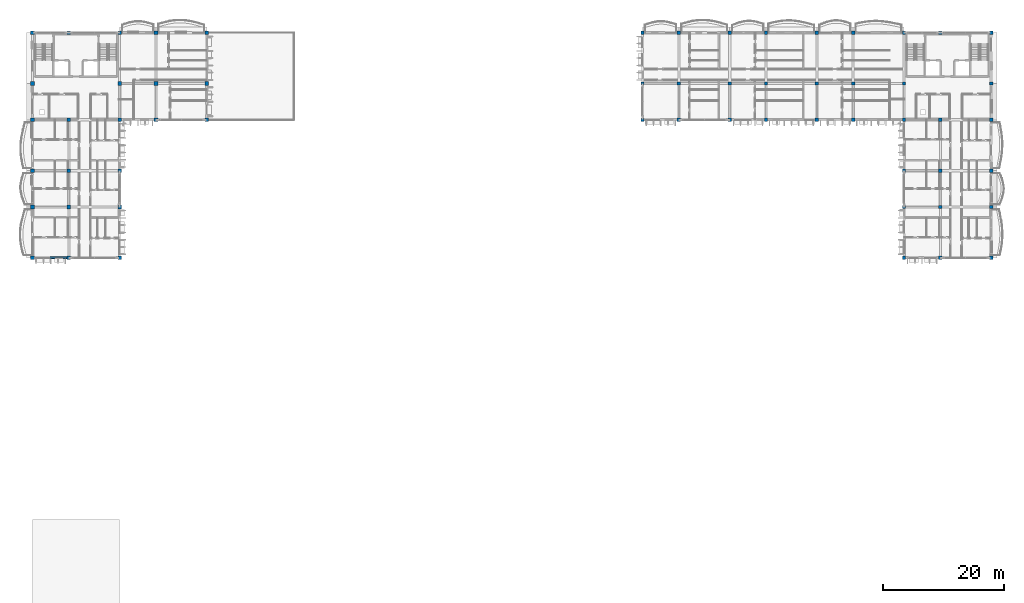
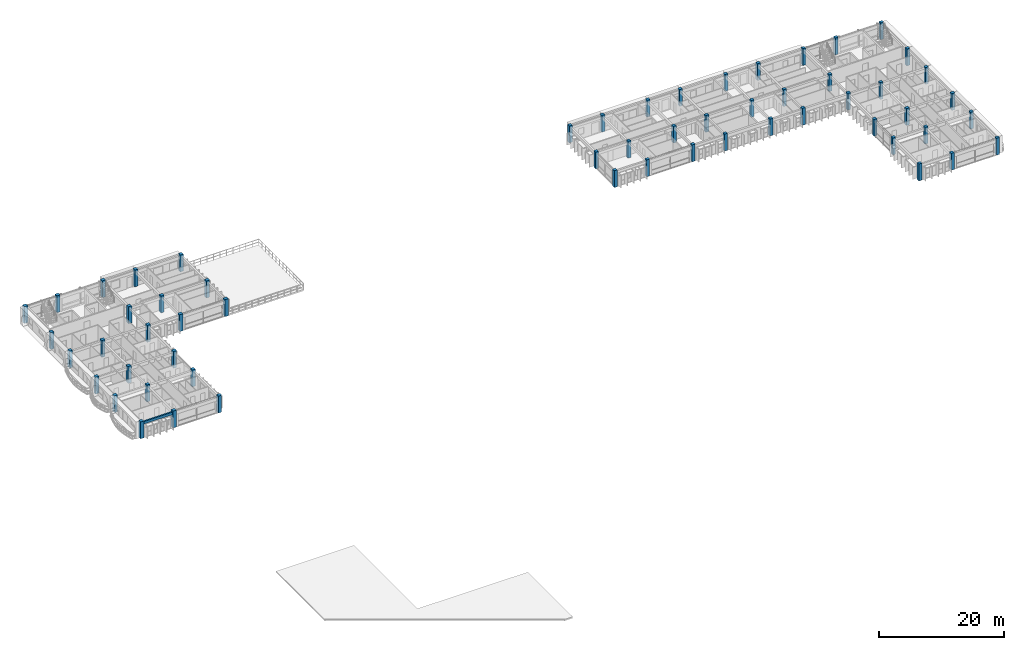
# One storey, part 1 of 31: 58 columns, 1 beam.
"""IFC4 building model written with IfcOpenShell, lengths in metres."""

from ifc_helpers import new_model, si_unit, direction, frame, origin, origin_2d, place, context, subcontext, project, spatial, rectangle, extrude, material, material_profile, profile_set, type_object, element, save


model = new_model("IFC4")

# Units and contexts
model_context = context("Model", 3, precision=1e-05, world=origin(), true_north=direction((0.0, 1.0)))
body_context = subcontext(model_context, "Body", "Model", "MODEL_VIEW")
ifc_project = project(units=[si_unit("LENGTHUNIT", "METRE"), si_unit("AREAUNIT", "SQUARE_METRE"), si_unit("VOLUMEUNIT", "CUBIC_METRE"), si_unit("PLANEANGLEUNIT", "RADIAN"), si_unit("MASSUNIT", "GRAM", prefix="KILO"), si_unit("THERMODYNAMICTEMPERATUREUNIT", "KELVIN")], contexts=[model_context])

# Site, building, storey
site_placement = place(None, origin())
site = spatial("IfcSite", under=ifc_project, at=site_placement, CompositionType="ELEMENT")
building_placement = place(site_placement, origin())
building = spatial("IfcBuilding", under=site, at=building_placement, Name="Thalorik Housing Commons", CompositionType="ELEMENT")
storey_placement = place(building_placement, frame((0.0, 0.0, 37.800048828125)))
storey = spatial("IfcBuildingStorey", under=building, at=storey_placement, Name="L11", CompositionType="ELEMENT", Elevation=37.800048828125)

# Columns
ifc_material = material(Name="Precast concrete C40/50", Category="concrete")
ifc_material_profile_1 = material_profile(ifc_material, rectangle(XDim=0.550048828125, YDim=0.550048828125, at=origin_2d()), Name="PC 550x550", Category="concrete")
ifc_profile_set_1 = profile_set([ifc_material_profile_1], Name="Precast concrete C40/50")
column_type_1 = type_object("IfcColumnType", Name="STR-COL-PC550", PredefinedType="COLUMN", material=ifc_profile_set_1)
for number, where, z_axis, x_axis, name in (
    (1, (109.199951171875, 109.199951171875, 0.0), (0.0, 0.0, 1.0), (1.0, 0.0, 0.0), "L11 Column C-550"),
    (2, (109.199951171875, 115.199951171875, 0.0), (0.0, 0.0, 1.0), (1.0, 0.0, 0.0), "L11 Column C-550"),
    (3, (109.199951171875, 123.60009765625, 0.0), (0.0, 0.0, 1.0), (1.0, 0.0, 0.0), "L11 Column C-550"),
    (4, (115.199951171875, 109.199951171875, 0.0), (0.0, 0.0, 1.0), (1.0, 0.0, 0.0), "L11 Column C-550"),
    (5, (115.199951171875, 115.199951171875, 0.0), (0.0, 0.0, 1.0), (1.0, 0.0, 0.0), "L11 Column C-550"),
    (6, (115.199951171875, 123.60009765625, 0.0), (0.0, 0.0, 1.0), (1.0, 0.0, 0.0), "L11 Column C-550"),
    (7, (123.60009765625, 109.199951171875, 0.0), (0.0, 0.0, 1.0), (1.0, 0.0, 0.0), "L11 Column C-550"),
    (8, (123.60009765625, 115.199951171875, 0.0), (0.0, 0.0, 1.0), (1.0, 0.0, 0.0), "L11 Column C-550"),
    (9, (123.60009765625, 123.60009765625, 0.0), (0.0, 0.0, 1.0), (1.0, 0.0, 0.0), "L11 Column C-550"),
    (10, (129.60009765625, 109.199951171875, 0.0), (0.0, 0.0, 1.0), (1.0, 0.0, 0.0), "L11 Column C-550"),
    (11, (129.60009765625, 115.199951171875, 0.0), (0.0, 0.0, 1.0), (1.0, 0.0, 0.0), "L11 Column C-550"),
    (12, (129.60009765625, 123.60009765625, 0.0), (0.0, 0.0, 1.0), (1.0, 0.0, 0.0), "L11 Column C-550"),
    (13, (138.0, 109.199951171875, 0.0), (0.0, 0.0, 1.0), (1.0, 0.0, 0.0), "L11 Column C-550"),
    (14, (138.0, 115.199951171875, 0.0), (0.0, 0.0, 1.0), (1.0, 0.0, 0.0), "L11 Column C-550"),
    (15, (138.0, 123.60009765625, 0.0), (0.0, 0.0, 1.0), (1.0, 0.0, 0.0), "L11 Column C-550"),
    (16, (144.0, 109.199951171875, 0.0), (0.0, 0.0, 1.0), (1.0, 0.0, 0.0), "L11 Column C-550"),
    (17, (144.0, 115.199951171875, 0.0), (0.0, 0.0, 1.0), (1.0, 0.0, 0.0), "L11 Column C-550"),
    (18, (144.0, 123.60009765625, 0.0), (0.0, 0.0, 1.0), (1.0, 0.0, 0.0), "L11 Column C-550"),
    (19, (152.39990234375, 86.39990234375, 0.0), (0.0, 0.0, 1.0), (1.0, 0.0, 0.0), "L11 Column C-550"),
    (20, (152.39990234375, 94.800048828125, 0.0), (0.0, 0.0, 1.0), (1.0, 0.0, 0.0), "L11 Column C-550"),
    (21, (152.39990234375, 100.800048828125, 0.0), (0.0, 0.0, 1.0), (1.0, 0.0, 0.0), "L11 Column C-550"),
    (22, (152.39990234375, 109.199951171875, 0.0), (0.0, 0.0, 1.0), (1.0, 0.0, 0.0), "L11 Column C-550"),
    (23, (152.39990234375, 115.199951171875, 0.0), (0.0, 0.0, 1.0), (1.0, 0.0, 0.0), "L11 Column C-550"),
    (24, (152.39990234375, 123.60009765625, 0.0), (0.0, 0.0, 1.0), (1.0, 0.0, 0.0), "L11 Column C-550"),
    (25, (158.39990234375, 86.39990234375, 0.0), (0.0, 0.0, 1.0), (1.0, 0.0, 0.0), "L11 Column C-550"),
    (26, (158.39990234375, 94.800048828125, 0.0), (0.0, 0.0, 1.0), (1.0, 0.0, 0.0), "L11 Column C-550"),
    (27, (158.39990234375, 100.800048828125, 0.0), (0.0, 0.0, 1.0), (1.0, 0.0, 0.0), "L11 Column C-550"),
    (28, (158.39990234375, 109.199951171875, 0.0), (0.0, 0.0, 1.0), (1.0, 0.0, 0.0), "L11 Column C-550"),
    (29, (158.39990234375, 123.60009765625, 0.0), (0.0, 0.0, 1.0), (1.0, 0.0, 0.0), "L11 Column C-550"),
    (30, (166.800048828125, 86.39990234375, 0.0), (0.0, 0.0, 1.0), (1.0, 0.0, 0.0), "L11 Column C-550"),
    (31, (166.800048828125, 94.800048828125, 0.0), (0.0, 0.0, 1.0), (1.0, 0.0, 0.0), "L11 Column C-550"),
    (32, (166.800048828125, 100.800048828125, 0.0), (0.0, 0.0, 1.0), (1.0, 0.0, 0.0), "L11 Column C-550"),
    (33, (166.800048828125, 109.199951171875, 0.0), (0.0, 0.0, 1.0), (1.0, 0.0, 0.0), "L11 Column C-550"),
    (34, (166.800048828125, 115.199951171875, 0.0), (0.0, 0.0, 1.0), (1.0, 0.0, 0.0), "L11 Column C-550"),
    (35, (166.800048828125, 123.60009765625, 0.0), (0.0, 0.0, 1.0), (1.0, 0.0, 0.0), "L11 Column C-550"),
):
    element("IfcColumn", number, at=place(storey_placement, frame(where, z_axis=z_axis, x_axis=x_axis)), inside=storey, type_object=column_type_1, Name=name, PredefinedType="COLUMN", context=body_context, shape_type="SweptSolid", body=[
        extrude(rectangle(XDim=0.550048828125, YDim=0.550048828125, at=origin_2d()), origin(), (0.0, 0.0, 1.0), 3.300048828125),
    ])
ifc_material_profile_2 = material_profile(ifc_material, rectangle(XDim=0.60009765625, YDim=0.60009765625, at=origin_2d()), Name="PC 600x600", Category="concrete")
ifc_profile_set_2 = profile_set([ifc_material_profile_2], Name="Precast concrete C40/50")
column_type_2 = type_object("IfcColumnType", Name="STR-COL-PC600", PredefinedType="COLUMN", material=ifc_profile_set_2)
for number, where, z_axis, x_axis, name in (
    (36, (8.39990234375, 86.39990234375, 0.0), (0.0, 0.0, 1.0), (1.0, 0.0, 0.0), "L11 Column C-600"),
    (37, (8.39990234375, 94.800048828125, 0.0), (0.0, 0.0, 1.0), (1.0, 0.0, 0.0), "L11 Column C-600"),
    (38, (8.39990234375, 100.800048828125, 0.0), (0.0, 0.0, 1.0), (1.0, 0.0, 0.0), "L11 Column C-600"),
    (39, (8.39990234375, 109.199951171875, 0.0), (0.0, 0.0, 1.0), (1.0, 0.0, 0.0), "L11 Column C-600"),
    (40, (8.39990234375, 115.199951171875, 0.0), (0.0, 0.0, 1.0), (1.0, 0.0, 0.0), "L11 Column C-600"),
    (41, (8.39990234375, 123.60009765625, 0.0), (0.0, 0.0, 1.0), (1.0, 0.0, 0.0), "L11 Column C-600"),
    (42, (14.39990234375, 86.39990234375, 0.0), (0.0, 0.0, 1.0), (1.0, 0.0, 0.0), "L11 Column C-600"),
    (43, (14.39990234375, 94.800048828125, 0.0), (0.0, 0.0, 1.0), (1.0, 0.0, 0.0), "L11 Column C-600"),
    (44, (14.39990234375, 100.800048828125, 0.0), (0.0, 0.0, 1.0), (1.0, 0.0, 0.0), "L11 Column C-600"),
    (45, (14.39990234375, 109.199951171875, 0.0), (0.0, 0.0, 1.0), (1.0, 0.0, 0.0), "L11 Column C-600"),
    (46, (14.39990234375, 123.60009765625, 0.0), (0.0, 0.0, 1.0), (1.0, 0.0, 0.0), "L11 Column C-600"),
    (47, (22.800048828125, 86.39990234375, 0.0), (0.0, 0.0, 1.0), (1.0, 0.0, 0.0), "L11 Column C-600"),
    (48, (22.800048828125, 94.800048828125, 0.0), (0.0, 0.0, 1.0), (1.0, 0.0, 0.0), "L11 Column C-600"),
    (49, (22.800048828125, 100.800048828125, 0.0), (0.0, 0.0, 1.0), (1.0, 0.0, 0.0), "L11 Column C-600"),
    (50, (22.800048828125, 109.199951171875, 0.0), (0.0, 0.0, 1.0), (1.0, 0.0, 0.0), "L11 Column C-600"),
    (51, (22.800048828125, 115.199951171875, 0.0), (0.0, 0.0, 1.0), (1.0, 0.0, 0.0), "L11 Column C-600"),
    (52, (22.800048828125, 123.60009765625, 0.0), (0.0, 0.0, 1.0), (1.0, 0.0, 0.0), "L11 Column C-600"),
    (53, (28.800048828125, 109.199951171875, 0.0), (0.0, 0.0, 1.0), (1.0, 0.0, 0.0), "L11 Column C-600"),
    (54, (28.800048828125, 115.199951171875, 0.0), (0.0, 0.0, 1.0), (1.0, 0.0, 0.0), "L11 Column C-600"),
    (55, (28.800048828125, 123.60009765625, 0.0), (0.0, 0.0, 1.0), (1.0, 0.0, 0.0), "L11 Column C-600"),
    (56, (37.199951171875, 109.199951171875, 0.0), (0.0, 0.0, 1.0), (1.0, 0.0, 0.0), "L11 Column C-600"),
    (57, (37.199951171875, 115.199951171875, 0.0), (0.0, 0.0, 1.0), (1.0, 0.0, 0.0), "L11 Column C-600"),
    (58, (37.199951171875, 123.60009765625, 0.0), (0.0, 0.0, 1.0), (1.0, 0.0, 0.0), "L11 Column C-600"),
):
    element("IfcColumn", number, at=place(storey_placement, frame(where, z_axis=z_axis, x_axis=x_axis)), inside=storey, type_object=column_type_2, Name=name, PredefinedType="COLUMN", context=body_context, shape_type="SweptSolid", body=[
        extrude(rectangle(XDim=0.60009765625, YDim=0.60009765625, at=origin_2d()), origin(), (0.0, 0.0, 1.0), 3.300048828125),
    ])

# Beam
ifc_material_profile_3 = material_profile(ifc_material, rectangle(XDim=0.300048828125, YDim=0.5, at=origin_2d()), Name="PC 300x500", Category="concrete")
ifc_profile_set_3 = profile_set([ifc_material_profile_3], Name="Precast concrete C40/50")
beam_type = type_object("IfcBeamType", Name="STR-BM-PC300x500", PredefinedType="BEAM", material=ifc_profile_set_3)
beam_placement = place(storey_placement, frame((8.64990234375, 86.39990234375, 2.7900390625), z_axis=(1.0, 0.0, 0.0), x_axis=(0.0, 1.0, 0.0)))
element("IfcBeam", 59, at=beam_placement, inside=storey, type_object=beam_type, Name="L11 Beam B-500", PredefinedType="BEAM", context=body_context, shape_type="SweptSolid", body=[
    extrude(rectangle(XDim=0.300048828125, YDim=0.5, at=origin_2d()), origin(), (0.0, 0.0, 1.0), 5.5),
])

save(model, "model.ifc")
